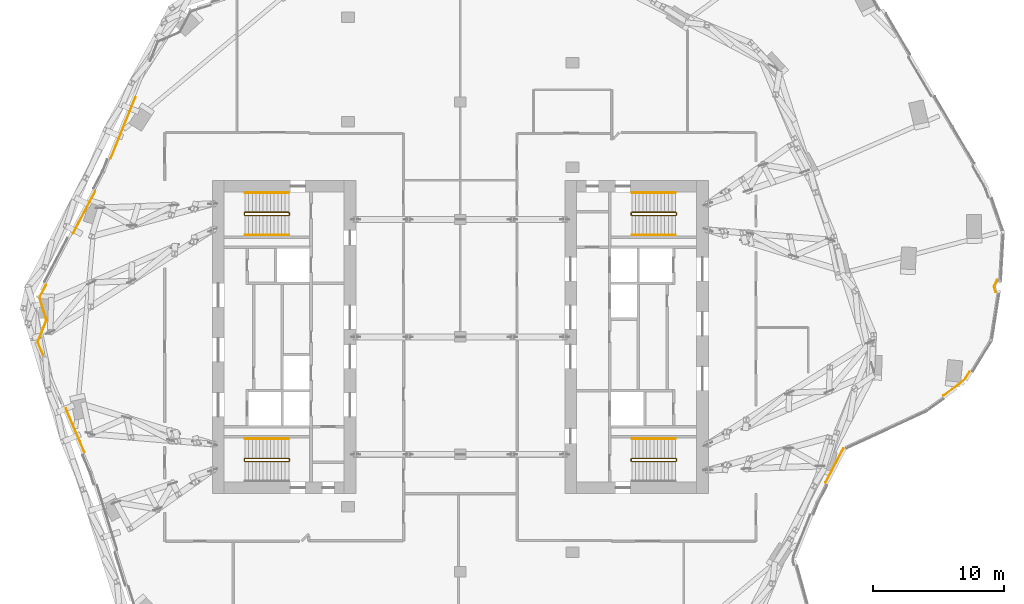
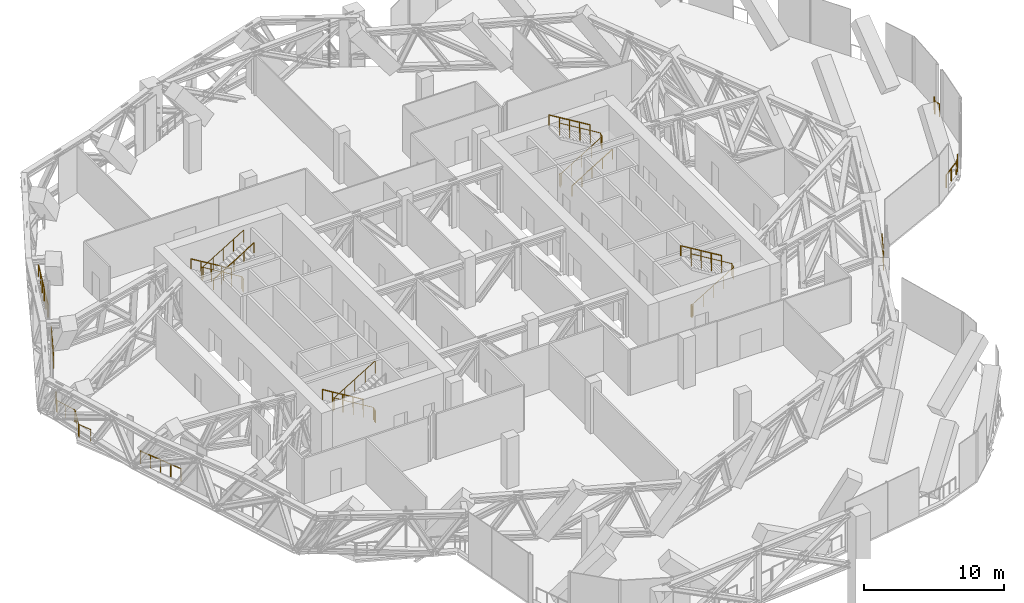
# One storey, part 30 of 31: 17 railings.
"""IFC4 building model written with IfcOpenShell, lengths in metres."""

from ifc_helpers import new_model, si_unit, direction, frame, origin, origin_2d, place, context, subcontext, project, spatial, circle, extrude, material, type_object, element, save


model = new_model("IFC4")

# Units and contexts
model_context = context("Model", 3, precision=1e-05, world=origin(), true_north=direction((0.0, 1.0)))
body_context = subcontext(model_context, "Body", "Model", "MODEL_VIEW")
ifc_project = project(units=[si_unit("LENGTHUNIT", "METRE"), si_unit("AREAUNIT", "SQUARE_METRE"), si_unit("VOLUMEUNIT", "CUBIC_METRE"), si_unit("PLANEANGLEUNIT", "RADIAN"), si_unit("MASSUNIT", "GRAM", prefix="KILO")], contexts=[model_context])

# Site, building, storey
site_placement = place(None, origin())
site = spatial("IfcSite", under=ifc_project, at=site_placement, CompositionType="ELEMENT")
building_placement = place(site_placement, origin())
building = spatial("IfcBuilding", under=site, at=building_placement, Name="Orlundy Tower", CompositionType="ELEMENT")
storey_placement = place(building_placement, frame((0.0, 0.0, 271.0)))
storey = spatial("IfcBuildingStorey", under=building, at=storey_placement, Name="L72", CompositionType="ELEMENT", Elevation=271.0)

# Railings
ifc_material_1 = material(Name="Steel balustrade", Category="steel")
railing_type_1 = type_object("IfcRailingType", Name="Stair Guard 1100", PredefinedType="GUARDRAIL", material=ifc_material_1)
railing_1_placement = place(storey_placement, frame((-13.090087890625, 9.5, 0.0)))
element("IfcRailing", 1, at=railing_1_placement, inside=storey, type_object=railing_type_1, Name="L72 ST-W1 stair guard 1", PredefinedType="GUARDRAIL", context=body_context, shape_type="SweptSolid", body=[
    extrude(circle(Radius=0.02392578125, at=origin_2d()), frame((0.0, 0.0, 1.076171875), z_axis=(0.0, -1.0, 0.0), x_axis=(1.0, 0.0, 0.0)), (0.0, 0.0, 1.0), 0.14990234375),
    extrude(circle(Radius=0.02392578125, at=origin_2d()), frame((0.0, -0.14990234375, 1.076171875), z_axis=(-0.186800498525, 0.749949060256, 0.634572281755), x_axis=(-0.970351222016, -0.241699205484, 0.0)), (0.0, 0.0, 1.0), 0.2666015625),
    extrude(circle(Radius=0.02392578125, at=origin_2d()), frame((-0.0498046875, 0.050048828125, 1.2451171875), z_axis=(-0.855836976705, 0.0, 0.517245656632), x_axis=(0.0, -1.0, 0.0)), (0.0, 0.0, 1.0), 3.926025390625),
    extrude(circle(Radius=0.02392578125, at=origin_2d()), frame((-3.409912109375, 0.050048828125, 3.27587890625), z_axis=(-0.707106781187, -0.707106781187, 0.0), x_axis=(0.707106781187, -0.707106781187, 0.0)), (0.0, 0.0, 1.0), 0.07080078125),
    extrude(circle(Radius=0.02392578125, at=origin_2d()), frame((-3.4599609375, 0.0, 3.27587890625), z_axis=(0.0, -1.0, 0.0), x_axis=(1.0, 0.0, 0.0)), (0.0, 0.0, 1.0), 0.14990234375),
    extrude(circle(Radius=0.02392578125, at=origin_2d()), frame((-3.4599609375, -0.14990234375, 3.27587890625), z_axis=(0.272897288611, -0.272897288611, 0.922525956132), x_axis=(0.707106781187, 0.707106781187, 0.0)), (0.0, 0.0, 1.0), 0.183349609375),
    extrude(circle(Radius=0.02392578125, at=origin_2d()), frame((-3.409912109375, -0.199951171875, 3.4453125), z_axis=(0.855836976705, 0.0, 0.517245656632), x_axis=(0.0, 1.0, 0.0)), (0.0, 0.0, 1.0), 3.926025390625),
    extrude(circle(Radius=0.02099609375, at=origin_2d()), origin(), (0.0, 0.0, 1.0), 1.052001953125),
    extrude(circle(Radius=0.02099609375, at=origin_2d()), frame((0.0, -0.14990234375, 0.0)), (0.0, 0.0, 1.0), 1.052001953125),
    extrude(circle(Radius=0.02099609375, at=origin_2d()), frame((-0.0498046875, 0.050048828125, 0.169189453125)), (0.0, 0.0, 1.0), 1.052001953125),
    extrude(circle(Radius=0.02099609375, at=origin_2d()), frame((-0.889892578125, 0.050048828125, 0.6767578125)), (0.0, 0.0, 1.0), 1.052001953125),
    extrude(circle(Radius=0.02099609375, at=origin_2d()), frame((-1.72998046875, 0.050048828125, 1.1845703125)), (0.0, 0.0, 1.0), 1.052001953125),
    extrude(circle(Radius=0.02099609375, at=origin_2d()), frame((-2.56982421875, 0.050048828125, 1.6923828125)), (0.0, 0.0, 1.0), 1.052001953125),
    extrude(circle(Radius=0.02099609375, at=origin_2d()), frame((-3.409912109375, 0.050048828125, 2.199951171875)), (0.0, 0.0, 1.0), 1.052001953125),
    extrude(circle(Radius=0.02099609375, at=origin_2d()), frame((-3.4599609375, 0.0, 2.199951171875)), (0.0, 0.0, 1.0), 1.052001953125),
    extrude(circle(Radius=0.02099609375, at=origin_2d()), frame((-3.4599609375, -0.14990234375, 2.199951171875)), (0.0, 0.0, 1.0), 1.052001953125),
    extrude(circle(Radius=0.02099609375, at=origin_2d()), frame((-3.409912109375, -0.199951171875, 2.369140625)), (0.0, 0.0, 1.0), 1.052001953125),
    extrude(circle(Radius=0.02099609375, at=origin_2d()), frame((-2.56982421875, -0.199951171875, 2.876953125)), (0.0, 0.0, 1.0), 1.052001953125),
    extrude(circle(Radius=0.02099609375, at=origin_2d()), frame((-1.72998046875, -0.199951171875, 3.384521484375)), (0.0, 0.0, 1.0), 1.052001953125),
    extrude(circle(Radius=0.02099609375, at=origin_2d()), frame((-0.889892578125, -0.199951171875, 3.89208984375)), (0.0, 0.0, 1.0), 1.052001953125),
    extrude(circle(Radius=0.02099609375, at=origin_2d()), frame((-0.0498046875, -0.199951171875, 4.39990234375)), (0.0, 0.0, 1.0), 1.052001953125),
])
railing_2_placement = place(storey_placement, frame((-13.090087890625, -9.35009765625, 0.0)))
element("IfcRailing", 2, at=railing_2_placement, inside=storey, type_object=railing_type_1, Name="L72 ST-W2 stair guard 1", PredefinedType="GUARDRAIL", context=body_context, shape_type="SweptSolid", body=[
    extrude(circle(Radius=0.02392578125, at=origin_2d()), frame((0.0, 0.0, 1.076171875), z_axis=(0.0, -1.0, 0.0), x_axis=(1.0, 0.0, 0.0)), (0.0, 0.0, 1.0), 0.14990234375),
    extrude(circle(Radius=0.02392578125, at=origin_2d()), frame((0.0, -0.14990234375, 1.076171875), z_axis=(-0.186800498525, 0.749949060256, 0.634572281755), x_axis=(-0.970351222016, -0.241699205484, 0.0)), (0.0, 0.0, 1.0), 0.2666015625),
    extrude(circle(Radius=0.02392578125, at=origin_2d()), frame((-0.0498046875, 0.050048828125, 1.2451171875), z_axis=(-0.855836976705, 0.0, 0.517245656632), x_axis=(0.0, -1.0, 0.0)), (0.0, 0.0, 1.0), 3.926025390625),
    extrude(circle(Radius=0.02392578125, at=origin_2d()), frame((-3.409912109375, 0.050048828125, 3.27587890625), z_axis=(-0.707106781187, -0.707106781187, 0.0), x_axis=(0.707106781187, -0.707106781187, 0.0)), (0.0, 0.0, 1.0), 0.07080078125),
    extrude(circle(Radius=0.02392578125, at=origin_2d()), frame((-3.4599609375, 0.0, 3.27587890625), z_axis=(0.0, -1.0, 0.0), x_axis=(1.0, 0.0, 0.0)), (0.0, 0.0, 1.0), 0.14990234375),
    extrude(circle(Radius=0.02392578125, at=origin_2d()), frame((-3.4599609375, -0.14990234375, 3.27587890625), z_axis=(0.272897288611, -0.272897288611, 0.922525956132), x_axis=(0.707106781187, 0.707106781187, 0.0)), (0.0, 0.0, 1.0), 0.183349609375),
    extrude(circle(Radius=0.02392578125, at=origin_2d()), frame((-3.409912109375, -0.199951171875, 3.4453125), z_axis=(0.855836976705, 0.0, 0.517245656632), x_axis=(0.0, 1.0, 0.0)), (0.0, 0.0, 1.0), 3.926025390625),
    extrude(circle(Radius=0.02099609375, at=origin_2d()), origin(), (0.0, 0.0, 1.0), 1.052001953125),
    extrude(circle(Radius=0.02099609375, at=origin_2d()), frame((0.0, -0.14990234375, 0.0)), (0.0, 0.0, 1.0), 1.052001953125),
    extrude(circle(Radius=0.02099609375, at=origin_2d()), frame((-0.0498046875, 0.050048828125, 0.169189453125)), (0.0, 0.0, 1.0), 1.052001953125),
    extrude(circle(Radius=0.02099609375, at=origin_2d()), frame((-0.889892578125, 0.050048828125, 0.6767578125)), (0.0, 0.0, 1.0), 1.052001953125),
    extrude(circle(Radius=0.02099609375, at=origin_2d()), frame((-1.72998046875, 0.050048828125, 1.1845703125)), (0.0, 0.0, 1.0), 1.052001953125),
    extrude(circle(Radius=0.02099609375, at=origin_2d()), frame((-2.56982421875, 0.050048828125, 1.6923828125)), (0.0, 0.0, 1.0), 1.052001953125),
    extrude(circle(Radius=0.02099609375, at=origin_2d()), frame((-3.409912109375, 0.050048828125, 2.199951171875)), (0.0, 0.0, 1.0), 1.052001953125),
    extrude(circle(Radius=0.02099609375, at=origin_2d()), frame((-3.4599609375, 0.0, 2.199951171875)), (0.0, 0.0, 1.0), 1.052001953125),
    extrude(circle(Radius=0.02099609375, at=origin_2d()), frame((-3.4599609375, -0.14990234375, 2.199951171875)), (0.0, 0.0, 1.0), 1.052001953125),
    extrude(circle(Radius=0.02099609375, at=origin_2d()), frame((-3.409912109375, -0.199951171875, 2.369140625)), (0.0, 0.0, 1.0), 1.052001953125),
    extrude(circle(Radius=0.02099609375, at=origin_2d()), frame((-2.56982421875, -0.199951171875, 2.876953125)), (0.0, 0.0, 1.0), 1.052001953125),
    extrude(circle(Radius=0.02099609375, at=origin_2d()), frame((-1.72998046875, -0.199951171875, 3.384521484375)), (0.0, 0.0, 1.0), 1.052001953125),
    extrude(circle(Radius=0.02099609375, at=origin_2d()), frame((-0.889892578125, -0.199951171875, 3.89208984375)), (0.0, 0.0, 1.0), 1.052001953125),
    extrude(circle(Radius=0.02099609375, at=origin_2d()), frame((-0.0498046875, -0.199951171875, 4.39990234375)), (0.0, 0.0, 1.0), 1.052001953125),
])
railing_3_placement = place(storey_placement, frame((13.090087890625, -9.5, 0.0)))
element("IfcRailing", 3, at=railing_3_placement, inside=storey, type_object=railing_type_1, Name="L72 ST-E1 stair guard 1", PredefinedType="GUARDRAIL", context=body_context, shape_type="SweptSolid", body=[
    extrude(circle(Radius=0.02392578125, at=origin_2d()), frame((0.0, 0.0, 1.076171875), z_axis=(0.0, 1.0, 0.0), x_axis=(-1.0, 0.0, 0.0)), (0.0, 0.0, 1.0), 0.14990234375),
    extrude(circle(Radius=0.02392578125, at=origin_2d()), frame((0.0, 0.14990234375, 1.076171875), z_axis=(0.186800498525, -0.749949060256, 0.634572281755), x_axis=(0.970351222016, 0.241699205484, 0.0)), (0.0, 0.0, 1.0), 0.2666015625),
    extrude(circle(Radius=0.02392578125, at=origin_2d()), frame((0.0498046875, -0.050048828125, 1.2451171875), z_axis=(0.855836976705, 0.0, 0.517245656632), x_axis=(0.0, 1.0, 0.0)), (0.0, 0.0, 1.0), 3.926025390625),
    extrude(circle(Radius=0.02392578125, at=origin_2d()), frame((3.409912109375, -0.050048828125, 3.27587890625), z_axis=(0.707106781187, 0.707106781187, 0.0), x_axis=(-0.707106781187, 0.707106781187, 0.0)), (0.0, 0.0, 1.0), 0.07080078125),
    extrude(circle(Radius=0.02392578125, at=origin_2d()), frame((3.4599609375, 0.0, 3.27587890625), z_axis=(0.0, 1.0, 0.0), x_axis=(-1.0, 0.0, 0.0)), (0.0, 0.0, 1.0), 0.14990234375),
    extrude(circle(Radius=0.02392578125, at=origin_2d()), frame((3.4599609375, 0.14990234375, 3.27587890625), z_axis=(-0.272897288611, 0.272897288611, 0.922525956132), x_axis=(-0.707106781187, -0.707106781187, 0.0)), (0.0, 0.0, 1.0), 0.183349609375),
    extrude(circle(Radius=0.02392578125, at=origin_2d()), frame((3.409912109375, 0.199951171875, 3.4453125), z_axis=(-0.855836976705, 0.0, 0.517245656632), x_axis=(0.0, -1.0, 0.0)), (0.0, 0.0, 1.0), 3.926025390625),
    extrude(circle(Radius=0.02099609375, at=origin_2d()), origin(), (0.0, 0.0, 1.0), 1.052001953125),
    extrude(circle(Radius=0.02099609375, at=origin_2d()), frame((0.0, 0.14990234375, 0.0)), (0.0, 0.0, 1.0), 1.052001953125),
    extrude(circle(Radius=0.02099609375, at=origin_2d()), frame((0.0498046875, -0.050048828125, 0.169189453125)), (0.0, 0.0, 1.0), 1.052001953125),
    extrude(circle(Radius=0.02099609375, at=origin_2d()), frame((0.889892578125, -0.050048828125, 0.6767578125)), (0.0, 0.0, 1.0), 1.052001953125),
    extrude(circle(Radius=0.02099609375, at=origin_2d()), frame((1.72998046875, -0.050048828125, 1.1845703125)), (0.0, 0.0, 1.0), 1.052001953125),
    extrude(circle(Radius=0.02099609375, at=origin_2d()), frame((2.56982421875, -0.050048828125, 1.6923828125)), (0.0, 0.0, 1.0), 1.052001953125),
    extrude(circle(Radius=0.02099609375, at=origin_2d()), frame((3.409912109375, -0.050048828125, 2.199951171875)), (0.0, 0.0, 1.0), 1.052001953125),
    extrude(circle(Radius=0.02099609375, at=origin_2d()), frame((3.4599609375, 0.0, 2.199951171875)), (0.0, 0.0, 1.0), 1.052001953125),
    extrude(circle(Radius=0.02099609375, at=origin_2d()), frame((3.4599609375, 0.14990234375, 2.199951171875)), (0.0, 0.0, 1.0), 1.052001953125),
    extrude(circle(Radius=0.02099609375, at=origin_2d()), frame((3.409912109375, 0.199951171875, 2.369140625)), (0.0, 0.0, 1.0), 1.052001953125),
    extrude(circle(Radius=0.02099609375, at=origin_2d()), frame((2.56982421875, 0.199951171875, 2.876953125)), (0.0, 0.0, 1.0), 1.052001953125),
    extrude(circle(Radius=0.02099609375, at=origin_2d()), frame((1.72998046875, 0.199951171875, 3.384521484375)), (0.0, 0.0, 1.0), 1.052001953125),
    extrude(circle(Radius=0.02099609375, at=origin_2d()), frame((0.889892578125, 0.199951171875, 3.89208984375)), (0.0, 0.0, 1.0), 1.052001953125),
    extrude(circle(Radius=0.02099609375, at=origin_2d()), frame((0.0498046875, 0.199951171875, 4.39990234375)), (0.0, 0.0, 1.0), 1.052001953125),
])
railing_4_placement = place(storey_placement, frame((13.090087890625, 9.35009765625, 0.0)))
element("IfcRailing", 4, at=railing_4_placement, inside=storey, type_object=railing_type_1, Name="L72 ST-E2 stair guard 1", PredefinedType="GUARDRAIL", context=body_context, shape_type="SweptSolid", body=[
    extrude(circle(Radius=0.02392578125, at=origin_2d()), frame((0.0, 0.0, 1.076171875), z_axis=(0.0, 1.0, 0.0), x_axis=(-1.0, 0.0, 0.0)), (0.0, 0.0, 1.0), 0.14990234375),
    extrude(circle(Radius=0.02392578125, at=origin_2d()), frame((0.0, 0.14990234375, 1.076171875), z_axis=(0.186800498525, -0.749949060256, 0.634572281755), x_axis=(0.970351222016, 0.241699205484, 0.0)), (0.0, 0.0, 1.0), 0.2666015625),
    extrude(circle(Radius=0.02392578125, at=origin_2d()), frame((0.0498046875, -0.050048828125, 1.2451171875), z_axis=(0.855836976705, 0.0, 0.517245656632), x_axis=(0.0, 1.0, 0.0)), (0.0, 0.0, 1.0), 3.926025390625),
    extrude(circle(Radius=0.02392578125, at=origin_2d()), frame((3.409912109375, -0.050048828125, 3.27587890625), z_axis=(0.707106781187, 0.707106781187, 0.0), x_axis=(-0.707106781187, 0.707106781187, 0.0)), (0.0, 0.0, 1.0), 0.07080078125),
    extrude(circle(Radius=0.02392578125, at=origin_2d()), frame((3.4599609375, 0.0, 3.27587890625), z_axis=(0.0, 1.0, 0.0), x_axis=(-1.0, 0.0, 0.0)), (0.0, 0.0, 1.0), 0.14990234375),
    extrude(circle(Radius=0.02392578125, at=origin_2d()), frame((3.4599609375, 0.14990234375, 3.27587890625), z_axis=(-0.272897288611, 0.272897288611, 0.922525956132), x_axis=(-0.707106781187, -0.707106781187, 0.0)), (0.0, 0.0, 1.0), 0.183349609375),
    extrude(circle(Radius=0.02392578125, at=origin_2d()), frame((3.409912109375, 0.199951171875, 3.4453125), z_axis=(-0.855836976705, 0.0, 0.517245656632), x_axis=(0.0, -1.0, 0.0)), (0.0, 0.0, 1.0), 3.926025390625),
    extrude(circle(Radius=0.02099609375, at=origin_2d()), origin(), (0.0, 0.0, 1.0), 1.052001953125),
    extrude(circle(Radius=0.02099609375, at=origin_2d()), frame((0.0, 0.14990234375, 0.0)), (0.0, 0.0, 1.0), 1.052001953125),
    extrude(circle(Radius=0.02099609375, at=origin_2d()), frame((0.0498046875, -0.050048828125, 0.169189453125)), (0.0, 0.0, 1.0), 1.052001953125),
    extrude(circle(Radius=0.02099609375, at=origin_2d()), frame((0.889892578125, -0.050048828125, 0.6767578125)), (0.0, 0.0, 1.0), 1.052001953125),
    extrude(circle(Radius=0.02099609375, at=origin_2d()), frame((1.72998046875, -0.050048828125, 1.1845703125)), (0.0, 0.0, 1.0), 1.052001953125),
    extrude(circle(Radius=0.02099609375, at=origin_2d()), frame((2.56982421875, -0.050048828125, 1.6923828125)), (0.0, 0.0, 1.0), 1.052001953125),
    extrude(circle(Radius=0.02099609375, at=origin_2d()), frame((3.409912109375, -0.050048828125, 2.199951171875)), (0.0, 0.0, 1.0), 1.052001953125),
    extrude(circle(Radius=0.02099609375, at=origin_2d()), frame((3.4599609375, 0.0, 2.199951171875)), (0.0, 0.0, 1.0), 1.052001953125),
    extrude(circle(Radius=0.02099609375, at=origin_2d()), frame((3.4599609375, 0.14990234375, 2.199951171875)), (0.0, 0.0, 1.0), 1.052001953125),
    extrude(circle(Radius=0.02099609375, at=origin_2d()), frame((3.409912109375, 0.199951171875, 2.369140625)), (0.0, 0.0, 1.0), 1.052001953125),
    extrude(circle(Radius=0.02099609375, at=origin_2d()), frame((2.56982421875, 0.199951171875, 2.876953125)), (0.0, 0.0, 1.0), 1.052001953125),
    extrude(circle(Radius=0.02099609375, at=origin_2d()), frame((1.72998046875, 0.199951171875, 3.384521484375)), (0.0, 0.0, 1.0), 1.052001953125),
    extrude(circle(Radius=0.02099609375, at=origin_2d()), frame((0.889892578125, 0.199951171875, 3.89208984375)), (0.0, 0.0, 1.0), 1.052001953125),
    extrude(circle(Radius=0.02099609375, at=origin_2d()), frame((0.0498046875, 0.199951171875, 4.39990234375)), (0.0, 0.0, 1.0), 1.052001953125),
])
ifc_material_2 = material(Name="Steel handrail", Category="steel")
railing_type_2 = type_object("IfcRailingType", Name="Stair Handrail 900", PredefinedType="HANDRAIL", material=ifc_material_2)
railing_5_placement = place(storey_placement, frame((-13.139892578125, 11.050048828125, 0.169189453125)))
element("IfcRailing", 5, at=railing_5_placement, inside=storey, type_object=railing_type_2, Name="L72 ST-W1 stair handrail 1", PredefinedType="HANDRAIL", context=body_context, shape_type="SweptSolid", body=[
    extrude(circle(Radius=0.02392578125, at=origin_2d()), frame((0.0, 0.0, 0.8759765625), z_axis=(-0.855836976705, 0.0, 0.517245656632), x_axis=(0.0, -1.0, 0.0)), (0.0, 0.0, 1.0), 3.926025390625),
    extrude(circle(Radius=0.02099609375, at=origin_2d()), origin(), (0.0, 0.0, 1.0), 0.851806640625),
    extrude(circle(Radius=0.02099609375, at=origin_2d()), frame((-0.840087890625, 0.0, 0.5078125)), (0.0, 0.0, 1.0), 0.851806640625),
    extrude(circle(Radius=0.02099609375, at=origin_2d()), frame((-1.68017578125, 0.0, 1.015380859375)), (0.0, 0.0, 1.0), 0.851806640625),
    extrude(circle(Radius=0.02099609375, at=origin_2d()), frame((-2.52001953125, 0.0, 1.52294921875)), (0.0, 0.0, 1.0), 0.851806640625),
    extrude(circle(Radius=0.02099609375, at=origin_2d()), frame((-3.360107421875, 0.0, 2.03076171875)), (0.0, 0.0, 1.0), 0.851806640625),
])
railing_6_placement = place(storey_placement, frame((-16.5, 7.800048828125, 2.369140625)))
element("IfcRailing", 6, at=railing_6_placement, inside=storey, type_object=railing_type_2, Name="L72 ST-W1 stair handrail 2", PredefinedType="HANDRAIL", context=body_context, shape_type="SweptSolid", body=[
    extrude(circle(Radius=0.02392578125, at=origin_2d()), frame((0.0, 0.0, 0.8759765625), z_axis=(0.855836976705, 0.0, 0.517245656632), x_axis=(0.0, 1.0, 0.0)), (0.0, 0.0, 1.0), 3.926025390625),
    extrude(circle(Radius=0.02099609375, at=origin_2d()), origin(), (0.0, 0.0, 1.0), 0.851806640625),
    extrude(circle(Radius=0.02099609375, at=origin_2d()), frame((0.840087890625, 0.0, 0.5078125)), (0.0, 0.0, 1.0), 0.851806640625),
    extrude(circle(Radius=0.02099609375, at=origin_2d()), frame((1.68017578125, 0.0, 1.015380859375)), (0.0, 0.0, 1.0), 0.851806640625),
    extrude(circle(Radius=0.02099609375, at=origin_2d()), frame((2.52001953125, 0.0, 1.52294921875)), (0.0, 0.0, 1.0), 0.851806640625),
    extrude(circle(Radius=0.02099609375, at=origin_2d()), frame((3.360107421875, 0.0, 2.03076171875)), (0.0, 0.0, 1.0), 0.851806640625),
])
for number, where, name in (
    (7, (-13.139892578125, -7.800048828125, 0.169189453125), "L72 ST-W2 stair handrail 1"),
    (8, (16.5, -7.800048828125, 2.369140625), "L72 ST-E1 stair handrail 2"),
):
    element("IfcRailing", number, at=place(storey_placement, frame(where)), inside=storey, type_object=railing_type_2, Name=name, PredefinedType="HANDRAIL", context=body_context, shape_type="SweptSolid", body=[
        extrude(circle(Radius=0.02392578125, at=origin_2d()), frame((0.0, 0.0, 0.8759765625), z_axis=(-0.855836976705, 0.0, 0.517245656632), x_axis=(0.0, -1.0, 0.0)), (0.0, 0.0, 1.0), 3.926025390625),
        extrude(circle(Radius=0.02099609375, at=origin_2d()), origin(), (0.0, 0.0, 1.0), 0.851806640625),
        extrude(circle(Radius=0.02099609375, at=origin_2d()), frame((-0.840087890625, 0.0, 0.5078125)), (0.0, 0.0, 1.0), 0.851806640625),
        extrude(circle(Radius=0.02099609375, at=origin_2d()), frame((-1.68017578125, 0.0, 1.015380859375)), (0.0, 0.0, 1.0), 0.851806640625),
        extrude(circle(Radius=0.02099609375, at=origin_2d()), frame((-2.52001953125, 0.0, 1.52294921875)), (0.0, 0.0, 1.0), 0.851806640625),
        extrude(circle(Radius=0.02099609375, at=origin_2d()), frame((-3.360107421875, 0.0, 2.03076171875)), (0.0, 0.0, 1.0), 0.851806640625),
    ])
railing_7_placement = place(storey_placement, frame((13.139892578125, 7.800048828125, 0.169189453125)))
element("IfcRailing", 9, at=railing_7_placement, inside=storey, type_object=railing_type_2, Name="L72 ST-E2 stair handrail 1", PredefinedType="HANDRAIL", context=body_context, shape_type="SweptSolid", body=[
    extrude(circle(Radius=0.02392578125, at=origin_2d()), frame((0.0, 0.0, 0.8759765625), z_axis=(0.855836976705, 0.0, 0.517245656632), x_axis=(0.0, 1.0, 0.0)), (0.0, 0.0, 1.0), 3.926025390625),
    extrude(circle(Radius=0.02099609375, at=origin_2d()), origin(), (0.0, 0.0, 1.0), 0.851806640625),
    extrude(circle(Radius=0.02099609375, at=origin_2d()), frame((0.840087890625, 0.0, 0.5078125)), (0.0, 0.0, 1.0), 0.851806640625),
    extrude(circle(Radius=0.02099609375, at=origin_2d()), frame((1.68017578125, 0.0, 1.015380859375)), (0.0, 0.0, 1.0), 0.851806640625),
    extrude(circle(Radius=0.02099609375, at=origin_2d()), frame((2.52001953125, 0.0, 1.52294921875)), (0.0, 0.0, 1.0), 0.851806640625),
    extrude(circle(Radius=0.02099609375, at=origin_2d()), frame((3.360107421875, 0.0, 2.03076171875)), (0.0, 0.0, 1.0), 0.851806640625),
])
railing_8_placement = place(storey_placement, frame((16.5, 11.050048828125, 2.369140625)))
element("IfcRailing", 10, at=railing_8_placement, inside=storey, type_object=railing_type_2, Name="L72 ST-E2 stair handrail 2", PredefinedType="HANDRAIL", context=body_context, shape_type="SweptSolid", body=[
    extrude(circle(Radius=0.02392578125, at=origin_2d()), frame((0.0, 0.0, 0.8759765625), z_axis=(-0.855836976705, 0.0, 0.517245656632), x_axis=(0.0, -1.0, 0.0)), (0.0, 0.0, 1.0), 3.926025390625),
    extrude(circle(Radius=0.02099609375, at=origin_2d()), origin(), (0.0, 0.0, 1.0), 0.851806640625),
    extrude(circle(Radius=0.02099609375, at=origin_2d()), frame((-0.840087890625, 0.0, 0.5078125)), (0.0, 0.0, 1.0), 0.851806640625),
    extrude(circle(Radius=0.02099609375, at=origin_2d()), frame((-1.68017578125, 0.0, 1.015380859375)), (0.0, 0.0, 1.0), 0.851806640625),
    extrude(circle(Radius=0.02099609375, at=origin_2d()), frame((-2.52001953125, 0.0, 1.52294921875)), (0.0, 0.0, 1.0), 0.851806640625),
    extrude(circle(Radius=0.02099609375, at=origin_2d()), frame((-3.360107421875, 0.0, 2.03076171875)), (0.0, 0.0, 1.0), 0.851806640625),
])
ifc_material_3 = material(Name="Stainless steel bronze finish", Category="steel")
railing_type_3 = type_object("IfcRailingType", Name="TG1 terrace guard", PredefinedType="GUARDRAIL", material=ifc_material_3)
railing_9_placement = place(storey_placement, frame((-31.964111328125, -1.37451171875, 0.0)))
element("IfcRailing", 11, at=railing_9_placement, inside=storey, type_object=railing_type_3, Name="Guard TG-L72-E03", PredefinedType="GUARDRAIL", context=body_context, shape_type="SweptSolid", body=[
    extrude(circle(Radius=0.02490234375, at=origin_2d()), frame((0.0, 0.0, 1.09521484375), z_axis=(-0.390743654101, 0.920499536545, 0.0), x_axis=(-0.920499536545, -0.390743654101, 0.0)), (0.0, 0.0, 1.0), 1.0029296875),
    extrude(circle(Radius=0.02490234375, at=origin_2d()), frame((-0.391845703125, 0.923095703125, 1.09521484375), z_axis=(-0.029631251918, 0.99956089805, 0.0), x_axis=(-0.99956089805, -0.029631251918, 0.0)), (0.0, 0.0, 1.0), 0.12353515625),
    extrude(circle(Radius=0.02490234375, at=origin_2d()), frame((-0.3955078125, 1.046630859375, 1.09521484375), z_axis=(0.374721090889, 0.927137586361, 0.0), x_axis=(-0.927137586361, 0.374721090889, 0.0)), (0.0, 0.0, 1.0), 1.705078125),
    extrude(circle(Radius=0.02490234375, at=origin_2d()), frame((0.243408203125, 2.62744140625, 1.09521484375), z_axis=(0.039244668298, 0.999229631271, 0.0), x_axis=(-0.999229631271, 0.039244668298, 0.0)), (0.0, 0.0, 1.0), 0.080810546875),
    extrude(circle(Radius=0.02490234375, at=origin_2d()), frame((0.24658203125, 2.708251953125, 1.09521484375), z_axis=(-0.298242351403, 0.954490177964, 0.0), x_axis=(-0.954490177964, -0.298242351403, 0.0)), (0.0, 0.0, 1.0), 1.70361328125),
    extrude(circle(Radius=0.02490234375, at=origin_2d()), frame((-0.261474609375, 4.334228515625, 1.09521484375), z_axis=(0.112599416382, 0.993640463865, 0.0), x_axis=(-0.993640463865, 0.112599416382, 0.0)), (0.0, 0.0, 1.0), 0.12353515625),
    extrude(circle(Radius=0.02490234375, at=origin_2d()), frame((-0.24755859375, 4.45703125, 1.09521484375), z_axis=(0.464315327913, 0.885669958994, 0.0), x_axis=(-0.885669958994, 0.464315327913, 0.0)), (0.0, 0.0, 1.0), 1.005859375),
    extrude(circle(Radius=0.02001953125, at=origin_2d()), origin(), (0.0, 0.0, 1.0), 1.070068359375),
    extrude(circle(Radius=0.02001953125, at=origin_2d()), frame((-0.391845703125, 0.923095703125, 0.0)), (0.0, 0.0, 1.0), 1.070068359375),
    extrude(circle(Radius=0.02001953125, at=origin_2d()), frame((-0.3955078125, 1.046630859375, 0.0)), (0.0, 0.0, 1.0), 1.070068359375),
    extrude(circle(Radius=0.02001953125, at=origin_2d()), frame((-0.076171875, 1.8369140625, 0.0)), (0.0, 0.0, 1.0), 1.070068359375),
    extrude(circle(Radius=0.02001953125, at=origin_2d()), frame((0.243408203125, 2.62744140625, 0.0)), (0.0, 0.0, 1.0), 1.070068359375),
    extrude(circle(Radius=0.02001953125, at=origin_2d()), frame((0.24658203125, 2.708251953125, 0.0)), (0.0, 0.0, 1.0), 1.070068359375),
    extrude(circle(Radius=0.02001953125, at=origin_2d()), frame((-0.00732421875, 3.521240234375, 0.0)), (0.0, 0.0, 1.0), 1.070068359375),
    extrude(circle(Radius=0.02001953125, at=origin_2d()), frame((-0.261474609375, 4.334228515625, 0.0)), (0.0, 0.0, 1.0), 1.070068359375),
    extrude(circle(Radius=0.02001953125, at=origin_2d()), frame((-0.24755859375, 4.45703125, 0.0)), (0.0, 0.0, 1.0), 1.070068359375),
    extrude(circle(Radius=0.02001953125, at=origin_2d()), frame((0.219482421875, 5.347900390625, 0.0)), (0.0, 0.0, 1.0), 1.070068359375),
])
railing_10_placement = place(storey_placement, frame((-26.7958984375, 13.656005859375, 0.0)))
element("IfcRailing", 12, at=railing_10_placement, inside=storey, type_object=railing_type_3, Name="Guard TG-L72-E09", PredefinedType="GUARDRAIL", context=body_context, shape_type="SweptSolid", body=[
    extrude(circle(Radius=0.02490234375, at=origin_2d()), frame((0.0, 0.0, 1.09521484375), z_axis=(0.374578564541, 0.927195178475, 0.0), x_axis=(-0.927195178475, 0.374578564541, 0.0)), (0.0, 0.0, 1.0), 5.06689453125),
    extrude(circle(Radius=0.02001953125, at=origin_2d()), origin(), (0.0, 0.0, 1.0), 1.070068359375),
    extrude(circle(Radius=0.02001953125, at=origin_2d()), frame((0.379638671875, 0.939697265625, 0.0)), (0.0, 0.0, 1.0), 1.070068359375),
    extrude(circle(Radius=0.02001953125, at=origin_2d()), frame((0.75927734375, 1.879150390625, 0.0)), (0.0, 0.0, 1.0), 1.070068359375),
    extrude(circle(Radius=0.02001953125, at=origin_2d()), frame((1.138671875, 2.81884765625, 0.0)), (0.0, 0.0, 1.0), 1.070068359375),
    extrude(circle(Radius=0.02001953125, at=origin_2d()), frame((1.518310546875, 3.75830078125, 0.0)), (0.0, 0.0, 1.0), 1.070068359375),
    extrude(circle(Radius=0.02001953125, at=origin_2d()), frame((1.89794921875, 4.697998046875, 0.0)), (0.0, 0.0, 1.0), 1.070068359375),
])
railing_11_placement = place(storey_placement, frame((-29.672607421875, 7.925048828125, 0.0)))
element("IfcRailing", 13, at=railing_11_placement, inside=storey, type_object=railing_type_3, Name="Guard TG-L72-E012", PredefinedType="GUARDRAIL", context=body_context, shape_type="SweptSolid", body=[
    extrude(circle(Radius=0.02490234375, at=origin_2d()), frame((0.0, 0.0, 1.09521484375), z_axis=(0.464314996551, 0.885670132712, 0.0), x_axis=(-0.885670132712, 0.464314996551, 0.0)), (0.0, 0.0, 1.0), 3.642822265625),
    extrude(circle(Radius=0.02001953125, at=origin_2d()), origin(), (0.0, 0.0, 1.0), 1.070068359375),
    extrude(circle(Radius=0.02001953125, at=origin_2d()), frame((0.4228515625, 0.806640625, 0.0)), (0.0, 0.0, 1.0), 1.070068359375),
    extrude(circle(Radius=0.02001953125, at=origin_2d()), frame((0.845703125, 1.61328125, 0.0)), (0.0, 0.0, 1.0), 1.070068359375),
    extrude(circle(Radius=0.02001953125, at=origin_2d()), frame((1.2685546875, 2.419677734375, 0.0)), (0.0, 0.0, 1.0), 1.070068359375),
    extrude(circle(Radius=0.02001953125, at=origin_2d()), frame((1.69140625, 3.226318359375, 0.0)), (0.0, 0.0, 1.0), 1.070068359375),
])
railing_12_placement = place(storey_placement, frame((-28.802490234375, -8.82421875, 0.0)))
element("IfcRailing", 14, at=railing_12_placement, inside=storey, type_object=railing_type_3, Name="Guard TG-L72-E013", PredefinedType="GUARDRAIL", context=body_context, shape_type="SweptSolid", body=[
    extrude(circle(Radius=0.02490234375, at=origin_2d()), frame((0.0, 0.0, 1.09521484375), z_axis=(-0.390671012512, 0.920530368854, 0.0), x_axis=(-0.920530368854, -0.390671012512, 0.0)), (0.0, 0.0, 1.0), 3.6220703125),
    extrude(circle(Radius=0.02001953125, at=origin_2d()), origin(), (0.0, 0.0, 1.0), 1.070068359375),
    extrude(circle(Radius=0.02001953125, at=origin_2d()), frame((-0.353759765625, 0.83349609375, 0.0)), (0.0, 0.0, 1.0), 1.070068359375),
    extrude(circle(Radius=0.02001953125, at=origin_2d()), frame((-0.70751953125, 1.6669921875, 0.0)), (0.0, 0.0, 1.0), 1.070068359375),
    extrude(circle(Radius=0.02001953125, at=origin_2d()), frame((-1.061279296875, 2.500732421875, 0.0)), (0.0, 0.0, 1.0), 1.070068359375),
    extrude(circle(Radius=0.02001953125, at=origin_2d()), frame((-1.4150390625, 3.334228515625, 0.0)), (0.0, 0.0, 1.0), 1.070068359375),
])
railing_13_placement = place(storey_placement, frame((29.3408203125, -8.55859375, 0.0)))
element("IfcRailing", 15, at=railing_13_placement, inside=storey, type_object=railing_type_3, Name="Guard TG-L72-E020", PredefinedType="GUARDRAIL", context=body_context, shape_type="SweptSolid", body=[
    extrude(circle(Radius=0.02490234375, at=origin_2d()), frame((0.0, 0.0, 1.09521484375), z_axis=(-0.464408919102, -0.885620887208, 0.0), x_axis=(0.885620887208, -0.464408919102, 0.0)), (0.0, 0.0, 1.0), 2.927734375),
    extrude(circle(Radius=0.02001953125, at=origin_2d()), origin(), (0.0, 0.0, 1.0), 1.070068359375),
    extrude(circle(Radius=0.02001953125, at=origin_2d()), frame((-0.453125, -0.8642578125, 0.0)), (0.0, 0.0, 1.0), 1.070068359375),
    extrude(circle(Radius=0.02001953125, at=origin_2d()), frame((-0.906494140625, -1.728515625, 0.0)), (0.0, 0.0, 1.0), 1.070068359375),
    extrude(circle(Radius=0.02001953125, at=origin_2d()), frame((-1.359619140625, -2.5927734375, 0.0)), (0.0, 0.0, 1.0), 1.070068359375),
])
railing_14_placement = place(storey_placement, frame((39.000732421875, -2.66943359375, 0.0)))
element("IfcRailing", 16, at=railing_14_placement, inside=storey, type_object=railing_type_3, Name="Guard TG-L72-E022", PredefinedType="GUARDRAIL", context=body_context, shape_type="SweptSolid", body=[
    extrude(circle(Radius=0.02490234375, at=origin_2d()), frame((0.0, 0.0, 1.09521484375), z_axis=(-0.52106764753, -0.853515381641, 0.0), x_axis=(0.853515381641, -0.52106764753, 0.0)), (0.0, 0.0, 1.0), 0.593994140625),
    extrude(circle(Radius=0.02490234375, at=origin_2d()), frame((-0.3095703125, -0.507080078125, 1.09521484375), z_axis=(-0.677687885295, -0.73534966521, 0.0), x_axis=(0.73534966521, -0.677687885295, 0.0)), (0.0, 0.0, 1.0), 0.376708984375),
    extrude(circle(Radius=0.02490234375, at=origin_2d()), frame((-0.56494140625, -0.7841796875, 1.09521484375), z_axis=(-0.808196961985, -0.588912277541, 0.0), x_axis=(0.588912277541, -0.808196961985, 0.0)), (0.0, 0.0, 1.0), 1.763427734375),
    extrude(circle(Radius=0.02001953125, at=origin_2d()), origin(), (0.0, 0.0, 1.0), 1.070068359375),
    extrude(circle(Radius=0.02001953125, at=origin_2d()), frame((-0.3095703125, -0.507080078125, 0.0)), (0.0, 0.0, 1.0), 1.070068359375),
    extrude(circle(Radius=0.02001953125, at=origin_2d()), frame((-0.56494140625, -0.7841796875, 0.0)), (0.0, 0.0, 1.0), 1.070068359375),
    extrude(circle(Radius=0.02001953125, at=origin_2d()), frame((-1.277587890625, -1.303466796875, 0.0)), (0.0, 0.0, 1.0), 1.070068359375),
    extrude(circle(Radius=0.02001953125, at=origin_2d()), frame((-1.990234375, -1.82275390625, 0.0)), (0.0, 0.0, 1.0), 1.070068359375),
])
railing_15_placement = place(storey_placement, frame((41.12890625, 4.360107421875, 0.0)))
element("IfcRailing", 17, at=railing_15_placement, inside=storey, type_object=railing_type_3, Name="Guard TG-L72-E026", PredefinedType="GUARDRAIL", context=body_context, shape_type="SweptSolid", body=[
    extrude(circle(Radius=0.02490234375, at=origin_2d()), frame((0.0, 0.0, 1.09521484375), z_axis=(-0.434833902882, -0.900510675619, 0.0), x_axis=(0.900510675619, -0.434833902882, 0.0)), (0.0, 0.0, 1.0), 0.48291015625),
    extrude(circle(Radius=0.02490234375, at=origin_2d()), frame((-0.2099609375, -0.434814453125, 1.09521484375), z_axis=(-0.105469062013, -0.994422584698, 0.0), x_axis=(0.994422584698, -0.105469062013, 0.0)), (0.0, 0.0, 1.0), 0.0810546875),
    extrude(circle(Radius=0.02490234375, at=origin_2d()), frame((-0.218505859375, -0.515380859375, 1.09521484375), z_axis=(0.236089642022, -0.971731280206, 0.0), x_axis=(0.971731280206, 0.236089642022, 0.0)), (0.0, 0.0, 1.0), 0.42822265625),
    extrude(circle(Radius=0.02001953125, at=origin_2d()), origin(), (0.0, 0.0, 1.0), 1.070068359375),
    extrude(circle(Radius=0.02001953125, at=origin_2d()), frame((-0.2099609375, -0.434814453125, 0.0)), (0.0, 0.0, 1.0), 1.070068359375),
    extrude(circle(Radius=0.02001953125, at=origin_2d()), frame((-0.218505859375, -0.515380859375, 0.0)), (0.0, 0.0, 1.0), 1.070068359375),
    extrude(circle(Radius=0.02001953125, at=origin_2d()), frame((-0.117431640625, -0.931396484375, 0.0)), (0.0, 0.0, 1.0), 1.070068359375),
])

save(model, "model.ifc")
